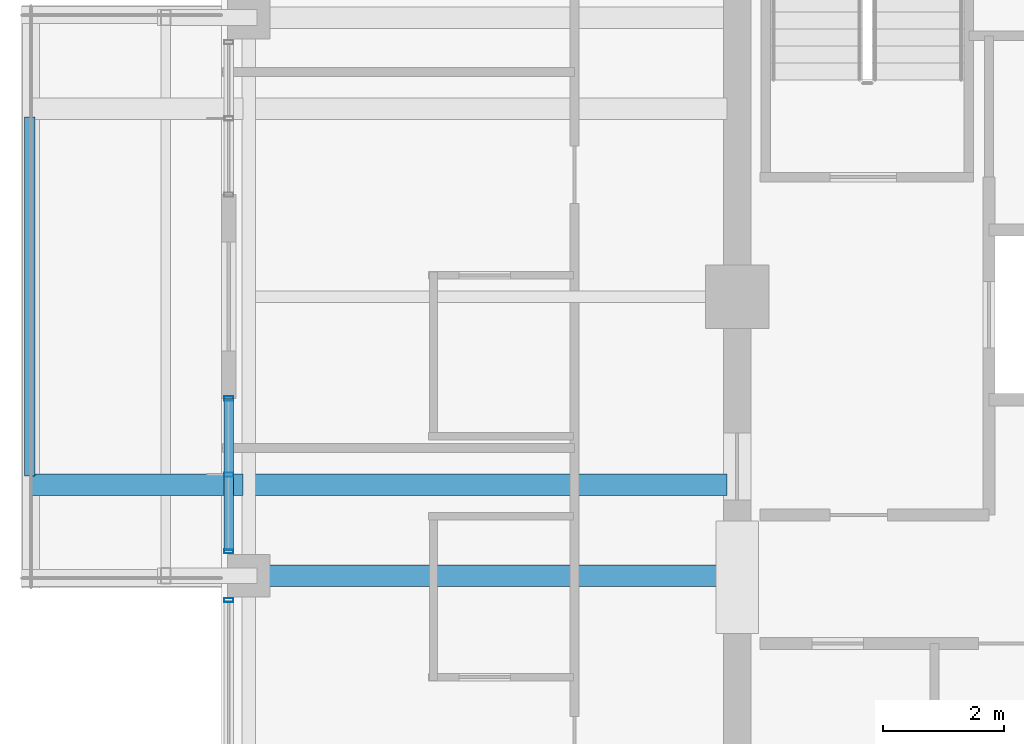
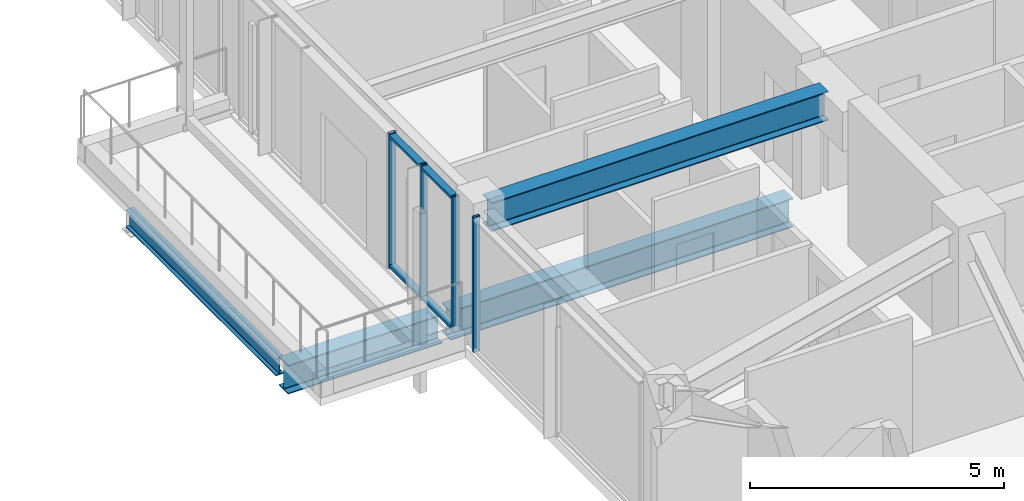
# One storey, part 7 of 34: 6 members, 4 beams, 2 elements without a shape of their own.
"""IFC4 building model written with IfcOpenShell, lengths in metres."""

from ifc_helpers import new_model, si_unit, direction, frame, origin, origin_2d, place, context, subcontext, project, spatial, hollow_rectangle, i_section, extrude, material, material_profile, profile_set, type_object, element, aggregate, save


model = new_model("IFC4")

# Units and contexts
model_context = context("Model", 3, precision=1e-05, world=origin(), true_north=direction((0.0, 1.0)))
body_context = subcontext(model_context, "Body", "Model", "MODEL_VIEW")
ifc_project = project(units=[si_unit("LENGTHUNIT", "METRE"), si_unit("AREAUNIT", "SQUARE_METRE"), si_unit("VOLUMEUNIT", "CUBIC_METRE"), si_unit("PLANEANGLEUNIT", "RADIAN"), si_unit("MASSUNIT", "GRAM", prefix="KILO")], contexts=[model_context])

# Site, building, storey
site_placement = place(None, origin())
site = spatial("IfcSite", under=ifc_project, at=site_placement, CompositionType="ELEMENT")
building_placement = place(site_placement, origin())
building = spatial("IfcBuilding", under=site, at=building_placement, Name="Kolvaren Belvedere", CompositionType="ELEMENT")
storey_placement = place(building_placement, frame((0.0, 0.0, 240.89990234375)))
storey = spatial("IfcBuildingStorey", under=building, at=storey_placement, Name="L70", CompositionType="ELEMENT", Elevation=240.89990234375)

# Beams
ifc_material_1 = material(Name="Structural steel ASTM A992 Grade 50", Category="steel")
ifc_material_profile_1 = material_profile(ifc_material_1, i_section(OverallWidth=0.35498046875, OverallDepth=0.696044921875, WebThickness=0.015380859375, FlangeThickness=0.02490234375, FilletRadius=0.02197265625, at=origin_2d()), Name="W27X146")
ifc_profile_set_1 = profile_set([ifc_material_profile_1], Name="Structural steel ASTM A992 Grade 50")
beam_type_1 = type_object("IfcBeamType", Name="BM-CANT-BAL", PredefinedType="BEAM", material=ifc_profile_set_1)
beam_1_placement = place(storey_placement, frame((-18.044921875, -3.10009765625, -0.597900390625), z_axis=(-1.0, 0.0, 0.0), x_axis=(0.0, -1.0, 0.0)))
element("IfcBeam", 1, at=beam_1_placement, inside=storey, type_object=beam_type_1, Name="L70 Planted Balcony Cantilever SPIRAL-11-W-1", PredefinedType="BEAM", context=body_context, shape_type="SweptSolid", body=[
    extrude(i_section(OverallWidth=0.35498046875, OverallDepth=0.696044921875, WebThickness=0.015380859375, FlangeThickness=0.02490234375, FilletRadius=0.02197265625, at=origin_2d()), origin(), (0.0, 0.0, 1.0), 3.51513671875),
])
ifc_material_2 = material(Name="Structural steel ASTM A992 Grade 50", Category="steel")
ifc_material_profile_2 = material_profile(ifc_material_2, i_section(OverallWidth=0.180908203125, OverallDepth=0.4169921875, WebThickness=0.010986328125, FlangeThickness=0.018310546875, FilletRadius=0.013916015625, at=origin_2d()), Name="W16X57")
ifc_profile_set_2 = profile_set([ifc_material_profile_2], Name="Structural steel ASTM A992 Grade 50")
beam_type_2 = type_object("IfcBeamType", Name="BM-EDGE-W16X57", PredefinedType="BEAM", material=ifc_profile_set_2)
beam_2_placement = place(storey_placement, frame((-21.56005859375, -2.9599609375, -0.45849609375), z_axis=(0.0, 1.0, 0.0), x_axis=(-1.0, 0.0, 0.0)))
element("IfcBeam", 2, at=beam_2_placement, inside=storey, type_object=beam_type_2, Name="L70 Balcony Tip Header Beam SPIRAL-11-W", PredefinedType="BEAM", context=body_context, shape_type="SweptSolid", body=[
    extrude(i_section(OverallWidth=0.180908203125, OverallDepth=0.4169921875, WebThickness=0.010986328125, FlangeThickness=0.018310546875, FilletRadius=0.013916015625, at=origin_2d()), origin(), (0.0, 0.0, 1.0), 5.919921875),
])
ifc_material_3 = material(Name="Structural steel ASTM A992 Grade 50", Category="steel")
ifc_material_profile_3 = material_profile(ifc_material_3, i_section(OverallWidth=0.35498046875, OverallDepth=0.696044921875, WebThickness=0.015380859375, FlangeThickness=0.02490234375, FilletRadius=0.02197265625, at=origin_2d()), Name="W27X146")
ifc_profile_set_3 = profile_set([ifc_material_profile_3], Name="Structural steel ASTM A992 Grade 50")
beam_type_3 = type_object("IfcBeamType", Name="BM-GIRD-W27X146", PredefinedType="BEAM", material=ifc_profile_set_3)
beam_3_placement = place(storey_placement, frame((-10.06494140625, -3.10009765625, -0.597900390625), z_axis=(-1.0, 0.0, 0.0), x_axis=(0.0, -1.0, 0.0)))
element("IfcBeam", 3, at=beam_3_placement, inside=storey, type_object=beam_type_3, Name="L70 Balcony Interior Back-Span Girder SPIRAL-11-W-1", PredefinedType="BEAM", context=body_context, shape_type="SweptSolid", body=[
    extrude(i_section(OverallWidth=0.35498046875, OverallDepth=0.696044921875, WebThickness=0.015380859375, FlangeThickness=0.02490234375, FilletRadius=0.02197265625, at=origin_2d()), origin(), (0.0, 0.0, 1.0), 7.7900390625),
])
beam_4_placement = place(storey_placement, frame((-10.125, -4.60009765625, 2.902099609375), z_axis=(-1.0, 0.0, 0.0), x_axis=(0.0, -1.0, 0.0)))
element("IfcBeam", 4, at=beam_4_placement, inside=storey, type_object=beam_type_3, Name="L70 West Radial Girder M", PredefinedType="BEAM", context=body_context, shape_type="SweptSolid", body=[
    extrude(i_section(OverallWidth=0.35498046875, OverallDepth=0.696044921875, WebThickness=0.015380859375, FlangeThickness=0.02490234375, FilletRadius=0.02197265625, at=origin_2d()), origin(), (0.0, 0.0, 1.0), 7.66748046875),
])

# Curtain wall, member
ifc_material_4 = material(Name="Anodised pale-metal aluminium AA 6063-T6", Category="aluminium")
curtain_wall_type = type_object("IfcCurtainWallType", Name="CW-Z5-HIGH", PredefinedType="NOTDEFINED", material=ifc_material_4)
curtain_wall_1_placement = place(storey_placement, origin())
curtain_wall_1 = element("IfcCurtainWall", 5, at=curtain_wall_1_placement, inside=storey, type_object=curtain_wall_type, Name="L70 Unitised Curtain Wall FCW-L70-W1-B1", PredefinedType="NOTDEFINED")
ifc_material_5 = material(Name="Anodised pale-metal aluminium AA 6063-T6", Category="aluminium")
ifc_material_profile_4 = material_profile(ifc_material_5, hollow_rectangle(XDim=0.070068359375, YDim=0.14990234375, WallThickness=0.004150390625, at=origin_2d()), Name="ALU-MUL-150X70")
ifc_profile_set_4 = profile_set([ifc_material_profile_4], Name="Anodised pale-metal aluminium AA 6063-T6")
member_type_1 = type_object("IfcMemberType", Name="CW-MUL-150", PredefinedType="MULLION", material=ifc_profile_set_4)
member_1_placement = place(storey_placement, frame((-18.280029296875, -5.0048828125, 0.0), z_axis=(0.0, 0.0, 1.0), x_axis=(0.0, 1.0, 0.0)))
member_1 = element("IfcMember", 6, at=member_1_placement, type_object=member_type_1, Name="FCW-L70-W1-B1 Unitised Mullion 3", PredefinedType="MULLION", context=body_context, shape_type="SweptSolid", body=[
    extrude(hollow_rectangle(XDim=0.070068359375, YDim=0.14990234375, WallThickness=0.004150390625, at=origin_2d()), origin(), (0.0, 0.0, 1.0), 3.25),
])
aggregate(curtain_wall_1, [member_1])

# Curtain wall, members
curtain_wall_2_placement = place(storey_placement, origin())
curtain_wall_2 = element("IfcCurtainWall", 7, at=curtain_wall_2_placement, inside=storey, type_object=curtain_wall_type, Name="L70 Unitised Curtain Wall FCW-L70-W1-B2", PredefinedType="NOTDEFINED")
member_2_placement = place(storey_placement, frame((-18.280029296875, -4.195068359375, 0.0), z_axis=(0.0, 0.0, 1.0), x_axis=(0.0, 1.0, 0.0)))
member_2 = element("IfcMember", 8, at=member_2_placement, type_object=member_type_1, Name="FCW-L70-W1-B2 Unitised Mullion 1", PredefinedType="MULLION", context=body_context, shape_type="SweptSolid", body=[
    extrude(hollow_rectangle(XDim=0.070068359375, YDim=0.14990234375, WallThickness=0.004150390625, at=origin_2d()), origin(), (0.0, 0.0, 1.0), 3.25),
])
member_3_placement = place(storey_placement, frame((-18.280029296875, -2.9375, 0.0), z_axis=(0.0, 0.0, 1.0), x_axis=(0.0, 1.0, 0.0)))
member_3 = element("IfcMember", 9, at=member_3_placement, type_object=member_type_1, Name="FCW-L70-W1-B2 Unitised Mullion 2", PredefinedType="MULLION", context=body_context, shape_type="SweptSolid", body=[
    extrude(hollow_rectangle(XDim=0.070068359375, YDim=0.14990234375, WallThickness=0.004150390625, at=origin_2d()), origin(), (0.0, 0.0, 1.0), 3.25),
])
member_4_placement = place(storey_placement, frame((-18.280029296875, -1.679931640625, 0.0), z_axis=(0.0, 0.0, 1.0), x_axis=(0.0, 1.0, 0.0)))
member_4 = element("IfcMember", 10, at=member_4_placement, type_object=member_type_1, Name="FCW-L70-W1-B2 Unitised Mullion 3", PredefinedType="MULLION", context=body_context, shape_type="SweptSolid", body=[
    extrude(hollow_rectangle(XDim=0.070068359375, YDim=0.14990234375, WallThickness=0.004150390625, at=origin_2d()), origin(), (0.0, 0.0, 1.0), 3.25),
])
ifc_material_6 = material(Name="Anodised pale-metal aluminium AA 6063-T6", Category="aluminium")
ifc_material_profile_5 = material_profile(ifc_material_6, hollow_rectangle(XDim=0.06494140625, YDim=0.14990234375, WallThickness=0.00390625, at=origin_2d()), Name="ALU-TRN-150X65")
ifc_profile_set_5 = profile_set([ifc_material_profile_5], Name="Anodised pale-metal aluminium AA 6063-T6")
member_type_2 = type_object("IfcMemberType", Name="CW-TRN-150", PredefinedType="USERDEFINED", material=ifc_profile_set_5)
member_5_placement = place(storey_placement, frame((-18.280029296875, -4.195068359375, 0.06005859375), z_axis=(0.0, 1.0, 0.0), x_axis=(0.0, 0.0, 1.0)))
member_5 = element("IfcMember", 11, at=member_5_placement, type_object=member_type_2, Name="FCW-L70-W1-B2 Sill Transom", ObjectType="TRANSOM", PredefinedType="USERDEFINED", context=body_context, shape_type="SweptSolid", body=[
    extrude(hollow_rectangle(XDim=0.06494140625, YDim=0.14990234375, WallThickness=0.00390625, at=origin_2d()), origin(), (0.0, 0.0, 1.0), 2.51513671875),
])
member_6_placement = place(storey_placement, frame((-18.280029296875, -4.195068359375, 3.190185546875), z_axis=(0.0, 1.0, 0.0), x_axis=(0.0, 0.0, 1.0)))
member_6 = element("IfcMember", 12, at=member_6_placement, type_object=member_type_2, Name="FCW-L70-W1-B2 Head Transom", ObjectType="TRANSOM", PredefinedType="USERDEFINED", context=body_context, shape_type="SweptSolid", body=[
    extrude(hollow_rectangle(XDim=0.06494140625, YDim=0.14990234375, WallThickness=0.00390625, at=origin_2d()), origin(), (0.0, 0.0, 1.0), 2.51513671875),
])
aggregate(curtain_wall_2, [member_2, member_3, member_4, member_5, member_6])

save(model, "model.ifc")
